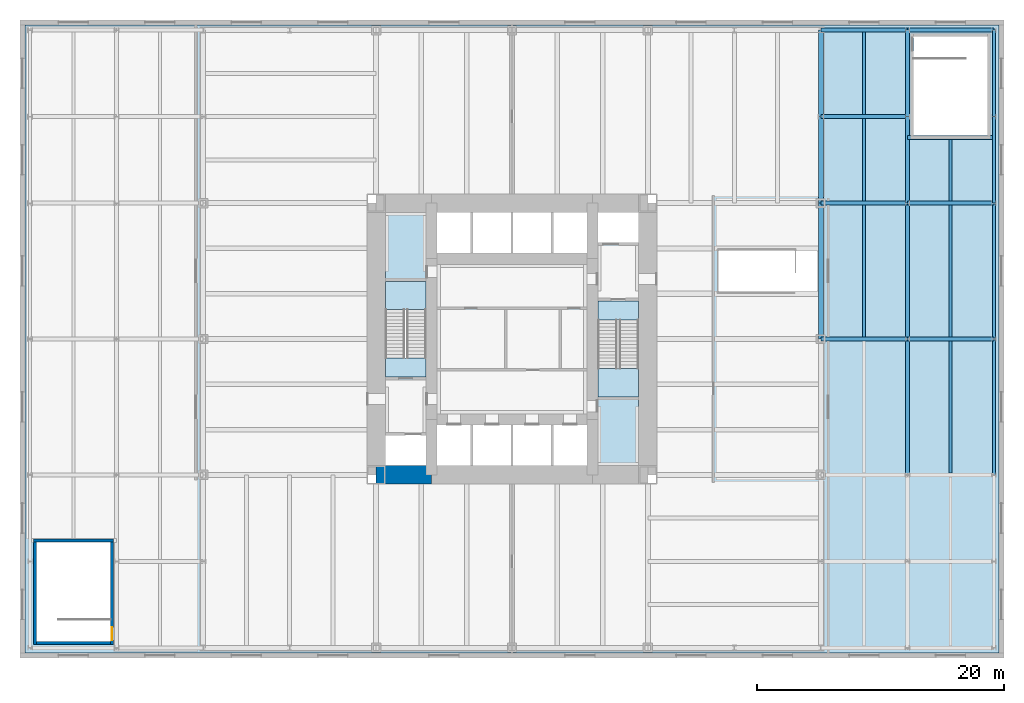
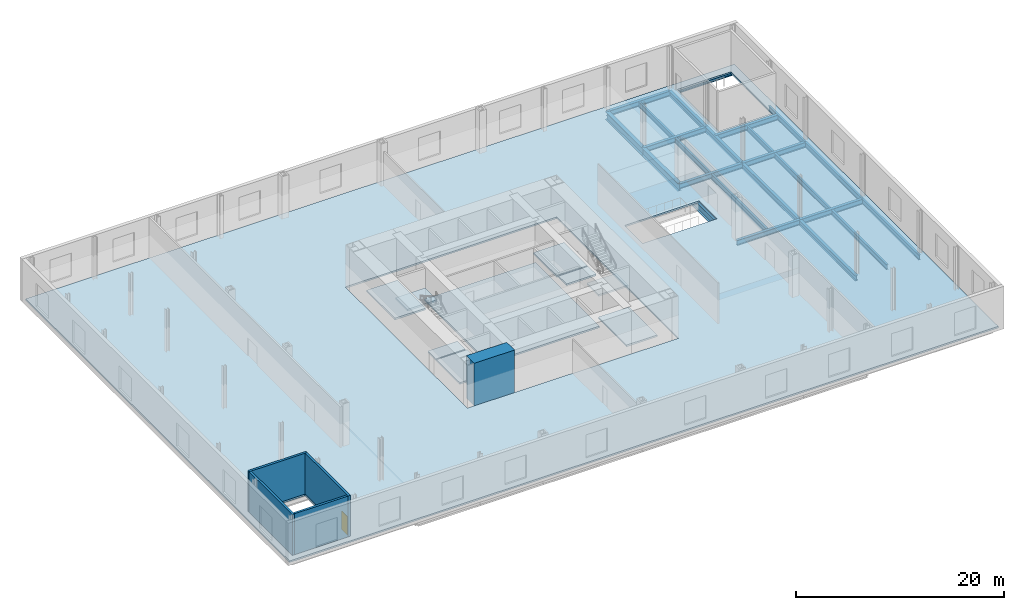
# One storey, part 6 of 12: 25 beams, 10 slabs, 5 walls, 1 door, 1 opening, 2 elements without a shape of their own.
"""IFC4 building model written with IfcOpenShell, lengths in metres."""

from ifc_helpers import new_model, si_unit, direction, frame, frame_2d, origin, origin_2d, place, context, subcontext, project, spatial, polyline, rectangle, i_section, outline, extrude, material, layer, layer_set, material_profile, profile_set, type_object, element, fill, aggregate, save


model = new_model("IFC4")

# Units and contexts
model_context = context("Model", 3, precision=1e-05, world=origin(), true_north=direction((0.0, 1.0)))
body_context = subcontext(model_context, "Body", "Model", "MODEL_VIEW")
ifc_project = project(units=[si_unit("LENGTHUNIT", "METRE"), si_unit("AREAUNIT", "SQUARE_METRE"), si_unit("VOLUMEUNIT", "CUBIC_METRE"), si_unit("PLANEANGLEUNIT", "RADIAN"), si_unit("MASSUNIT", "GRAM", prefix="KILO")], contexts=[model_context])

# Site, building, storey
site_placement = place(None, origin())
site = spatial("IfcSite", under=ifc_project, at=site_placement, CompositionType="ELEMENT")
building_placement = place(site_placement, origin())
building = spatial("IfcBuilding", under=site, at=building_placement, Name="Trevanion Tower", CompositionType="ELEMENT")
storey_placement = place(building_placement, frame((0.0, 0.0, 11.0)))
storey = spatial("IfcBuildingStorey", under=building, at=storey_placement, Name="L02", CompositionType="ELEMENT", Elevation=11.0)

# Beams
ifc_material_1 = material(Name="Steel ASTM A992 Grade 50", Category="steel")
ifc_material_profile_1 = material_profile(ifc_material_1, i_section(OverallWidth=0.419189453125, OverallDepth=0.927001953125, WebThickness=0.019287109375, FlangeThickness=0.031982421875, at=origin_2d()), Name="W36X231")
ifc_profile_set_1 = profile_set([ifc_material_profile_1], Name="Steel ASTM A992 Grade 50")
beam_type_1 = type_object("IfcBeamType", Name="SB1 W36X231", PredefinedType="SPANDREL", material=ifc_profile_set_1)
beam_1_placement = place(storey_placement, frame((25.0, 0.0, -0.653564453125), z_axis=(0.0, 1.0, 0.0), x_axis=(-1.0, 0.0, 0.0)))
element("IfcBeam", 1, at=beam_1_placement, inside=storey, type_object=beam_type_1, Name="SB1 L02", PredefinedType="SPANDREL", context=body_context, shape_type="SweptSolid", body=[
    extrude(i_section(OverallWidth=0.419189453125, OverallDepth=0.927001953125, WebThickness=0.019287109375, FlangeThickness=0.031982421875, at=origin_2d()), origin(), (0.0, 0.0, 1.0), 11.0),
])
for number, where, z_axis, x_axis, name in (
    (2, (25.0, 11.0, -0.653564453125), (0.0, 1.0, 0.0), (-1.0, 0.0, 0.0), "SB1 L02"),
    (3, (25.0, 18.0, -0.653564453125), (0.0, 1.0, 0.0), (-1.0, 0.0, 0.0), "SB1 L02"),
):
    element("IfcBeam", number, at=place(storey_placement, frame(where, z_axis=z_axis, x_axis=x_axis)), inside=storey, type_object=beam_type_1, Name=name, PredefinedType="SPANDREL", context=body_context, shape_type="SweptSolid", body=[
        extrude(i_section(OverallWidth=0.419189453125, OverallDepth=0.927001953125, WebThickness=0.019287109375, FlangeThickness=0.031982421875, at=origin_2d()), origin(), (0.0, 0.0, 1.0), 7.0),
    ])
ifc_material_2 = material(Name="Steel ASTM A992 Grade 50", Category="steel")
ifc_material_profile_2 = material_profile(ifc_material_2, i_section(OverallWidth=0.228271484375, OverallDepth=0.607177734375, WebThickness=0.01123046875, FlangeThickness=0.017333984375, at=origin_2d()), Name="W24X76")
ifc_profile_set_2 = profile_set([ifc_material_profile_2], Name="Steel ASTM A992 Grade 50")
beam_type_2 = type_object("IfcBeamType", Name="WB1 W24X76", PredefinedType="BEAM", material=ifc_profile_set_2)
beam_2_placement = place(storey_placement, frame((28.5, 0.16259765625, -0.493408203125), z_axis=(0.0, 1.0, 0.0), x_axis=(-1.0, 0.0, 0.0)))
element("IfcBeam", 4, at=beam_2_placement, inside=storey, type_object=beam_type_2, Name="WB1 L02", PredefinedType="BEAM", context=body_context, shape_type="SweptSolid", body=[
    extrude(i_section(OverallWidth=0.228271484375, OverallDepth=0.607177734375, WebThickness=0.01123046875, FlangeThickness=0.017333984375, at=origin_2d()), origin(), (0.0, 0.0, 1.0), 10.6748046875),
])
for number, where, z_axis, x_axis, name in (
    (5, (28.5, 11.16259765625, -0.493408203125), (0.0, 1.0, 0.0), (-1.0, 0.0, 0.0), "WB1 L02"),
    (6, (28.5, 18.16259765625, -0.493408203125), (0.0, 1.0, 0.0), (-1.0, 0.0, 0.0), "WB1 L02"),
):
    element("IfcBeam", number, at=place(storey_placement, frame(where, z_axis=z_axis, x_axis=x_axis)), inside=storey, type_object=beam_type_2, Name=name, PredefinedType="BEAM", context=body_context, shape_type="SweptSolid", body=[
        extrude(i_section(OverallWidth=0.228271484375, OverallDepth=0.607177734375, WebThickness=0.01123046875, FlangeThickness=0.017333984375, at=origin_2d()), origin(), (0.0, 0.0, 1.0), 6.6748046875),
    ])
for number, where, z_axis, x_axis, name in (
    (7, (35.5, -10.83740234375, -0.493408203125), (0.0, 1.0, 0.0), (-1.0, 0.0, 0.0), "WB1 L02"),
    (8, (35.5, 0.16259765625, -0.493408203125), (0.0, 1.0, 0.0), (-1.0, 0.0, 0.0), "WB1 L02"),
):
    element("IfcBeam", number, at=place(storey_placement, frame(where, z_axis=z_axis, x_axis=x_axis)), inside=storey, type_object=beam_type_2, Name=name, PredefinedType="BEAM", context=body_context, shape_type="SweptSolid", body=[
        extrude(i_section(OverallWidth=0.228271484375, OverallDepth=0.607177734375, WebThickness=0.01123046875, FlangeThickness=0.017333984375, at=origin_2d()), origin(), (0.0, 0.0, 1.0), 10.6748046875),
    ])
beam_3_placement = place(storey_placement, frame((35.5, 11.16259765625, -0.493408203125), z_axis=(0.0, 1.0, 0.0), x_axis=(-1.0, 0.0, 0.0)))
element("IfcBeam", 9, at=beam_3_placement, inside=storey, type_object=beam_type_2, Name="WB1 L02", PredefinedType="BEAM", context=body_context, shape_type="SweptSolid", body=[
    extrude(i_section(OverallWidth=0.228271484375, OverallDepth=0.607177734375, WebThickness=0.01123046875, FlangeThickness=0.017333984375, at=origin_2d()), origin(), (0.0, 0.0, 1.0), 4.98974609375),
])
ifc_material_3 = material(Name="Steel ASTM A992 Grade 50", Category="steel")
ifc_material_profile_3 = material_profile(ifc_material_3, i_section(OverallWidth=0.227783203125, OverallDepth=0.60205078125, WebThickness=0.010498046875, FlangeThickness=0.014892578125, at=origin_2d()), Name="W24X68")
ifc_profile_set_3 = profile_set([ifc_material_profile_3], Name="Steel ASTM A992 Grade 50")
beam_type_3 = type_object("IfcBeamType", Name="WE1 W24X68", PredefinedType="SPANDREL", material=ifc_profile_set_3)
for number, where, z_axis, x_axis, name in (
    (10, (39.0, -11.0, -0.490966796875), (0.0, 1.0, 0.0), (-1.0, 0.0, 0.0), "WE1 L02"),
    (11, (39.0, 0.0, -0.490966796875), (0.0, 1.0, 0.0), (-1.0, 0.0, 0.0), "WE1 L02"),
):
    element("IfcBeam", number, at=place(storey_placement, frame(where, z_axis=z_axis, x_axis=x_axis)), inside=storey, type_object=beam_type_3, Name=name, PredefinedType="SPANDREL", context=body_context, shape_type="SweptSolid", body=[
        extrude(i_section(OverallWidth=0.227783203125, OverallDepth=0.60205078125, WebThickness=0.010498046875, FlangeThickness=0.014892578125, at=origin_2d()), origin(), (0.0, 0.0, 1.0), 11.0),
    ])
for number, where, z_axis, x_axis, name in (
    (12, (39.0, 11.0, -0.490966796875), (0.0, 1.0, 0.0), (-1.0, 0.0, 0.0), "WE1 L02"),
    (13, (39.0, 18.0, -0.490966796875), (0.0, 1.0, 0.0), (-1.0, 0.0, 0.0), "WE1 L02"),
):
    element("IfcBeam", number, at=place(storey_placement, frame(where, z_axis=z_axis, x_axis=x_axis)), inside=storey, type_object=beam_type_3, Name=name, PredefinedType="SPANDREL", context=body_context, shape_type="SweptSolid", body=[
        extrude(i_section(OverallWidth=0.227783203125, OverallDepth=0.60205078125, WebThickness=0.010498046875, FlangeThickness=0.014892578125, at=origin_2d()), origin(), (0.0, 0.0, 1.0), 7.0),
    ])
ifc_material_4 = material(Name="Steel ASTM A992 Grade 50", Category="steel")
ifc_material_profile_4 = material_profile(ifc_material_4, i_section(OverallWidth=0.3251953125, OverallDepth=0.612060546875, WebThickness=0.0126953125, FlangeThickness=0.01904296875, at=origin_2d()), Name="W24X104")
ifc_profile_set_4 = profile_set([ifc_material_profile_4], Name="Steel ASTM A992 Grade 50")
beam_type_4 = type_object("IfcBeamType", Name="WG1 W24X104", PredefinedType="BEAM", material=ifc_profile_set_4)
for number, where, z_axis, x_axis, name in (
    (14, (25.0, 0.0, -0.49609375), (1.0, 0.0, 0.0), (0.0, 1.0, 0.0), "WG1 L02"),
    (15, (32.0, 0.0, -0.49609375), (1.0, 0.0, 0.0), (0.0, 1.0, 0.0), "WG1 L02"),
    (16, (25.0, 11.0, -0.49609375), (1.0, 0.0, 0.0), (0.0, 1.0, 0.0), "WG1 L02"),
    (17, (32.0, 11.0, -0.49609375), (1.0, 0.0, 0.0), (0.0, 1.0, 0.0), "WG1 L02"),
    (18, (25.0, 18.0, -0.49609375), (1.0, 0.0, 0.0), (0.0, 1.0, 0.0), "WG1 L02"),
    (19, (25.0, 25.0, -0.49609375), (1.0, 0.0, 0.0), (0.0, 1.0, 0.0), "WG1 L02"),
    (20, (32.0, 25.0, -0.49609375), (1.0, 0.0, 0.0), (0.0, 1.0, 0.0), "WG1 L02"),
    (21, (32.0, 16.31494140625, -0.49609375), (1.0, 0.0, 0.0), (0.0, 1.0, 0.0), "WG1 L02"),
):
    element("IfcBeam", number, at=place(storey_placement, frame(where, z_axis=z_axis, x_axis=x_axis)), inside=storey, type_object=beam_type_4, Name=name, PredefinedType="BEAM", context=body_context, shape_type="SweptSolid", body=[
        extrude(i_section(OverallWidth=0.3251953125, OverallDepth=0.612060546875, WebThickness=0.0126953125, FlangeThickness=0.01904296875, at=origin_2d()), origin(), (0.0, 0.0, 1.0), 7.0),
    ])
for number, where, z_axis, x_axis, name in (
    (22, (32.0, -11.0, -0.49609375), (0.0, 1.0, 0.0), (-1.0, 0.0, 0.0), "WG1 L02"),
    (23, (32.0, 0.0, -0.49609375), (0.0, 1.0, 0.0), (-1.0, 0.0, 0.0), "WG1 L02"),
):
    element("IfcBeam", number, at=place(storey_placement, frame(where, z_axis=z_axis, x_axis=x_axis)), inside=storey, type_object=beam_type_4, Name=name, PredefinedType="BEAM", context=body_context, shape_type="SweptSolid", body=[
        extrude(i_section(OverallWidth=0.3251953125, OverallDepth=0.612060546875, WebThickness=0.0126953125, FlangeThickness=0.01904296875, at=origin_2d()), origin(), (0.0, 0.0, 1.0), 11.0),
    ])
for number, where, z_axis, x_axis, name in (
    (24, (32.0, 11.0, -0.49609375), (0.0, 1.0, 0.0), (-1.0, 0.0, 0.0), "WG1 L02"),
    (25, (32.0, 18.0, -0.49609375), (0.0, 1.0, 0.0), (-1.0, 0.0, 0.0), "WG1 L02"),
):
    element("IfcBeam", number, at=place(storey_placement, frame(where, z_axis=z_axis, x_axis=x_axis)), inside=storey, type_object=beam_type_4, Name=name, PredefinedType="BEAM", context=body_context, shape_type="SweptSolid", body=[
        extrude(i_section(OverallWidth=0.3251953125, OverallDepth=0.612060546875, WebThickness=0.0126953125, FlangeThickness=0.01904296875, at=origin_2d()), origin(), (0.0, 0.0, 1.0), 7.0),
    ])

# Slabs
ifc_material_5 = material(Name="Concrete 5,000 psi on composite metal deck", Category="concrete")
ifc_layer_1 = layer(ifc_material_5, 0.18994140625)
ifc_layer_set_1 = layer_set([ifc_layer_1], Name="SL1 composite floor 190")
slab_type_1 = type_object("IfcSlabType", Name="SL1 composite floor 190", PredefinedType="FLOOR", material=ifc_layer_set_1)
slab_1_placement = place(storey_placement, frame((0.0, 0.0, -0.18994140625)))
element("IfcSlab", 26, at=slab_1_placement, inside=storey, type_object=slab_type_1, Name="SL1 L02 floor", PredefinedType="FLOOR", context=body_context, shape_type="SweptSolid", body=[
    extrude(outline(polyline([(39.419921875, -25.419921875), (39.419921875, 25.419921875), (-39.419921875, 25.419921875), (-39.419921875, -25.419921875), (39.419921875, -25.419921875)]), holes=[polyline([(11.75, -11.75), (11.75, 11.75), (-11.75, 11.75), (-11.75, -11.75), (11.75, -11.75)]), polyline([(32.5, 16.43994140625), (38.47509765625, 16.43994140625), (38.47509765625, 24.489990234375), (32.5, 24.489990234375), (32.5, 16.43994140625)]), polyline([(-32.5, -16.43994140625), (-38.47509765625, -16.43994140625), (-38.47509765625, -24.489990234375), (-32.5, -24.489990234375), (-32.5, -16.43994140625)]), polyline([(16.699951171875, 3.77001953125), (25.0, 3.77001953125), (25.0, 7.22998046875), (16.699951171875, 7.22998046875), (16.699951171875, 3.77001953125)])]), origin(), (0.0, 0.0, 1.0), 0.18994140625),
])
ifc_material_6 = material(Name="Concrete 5,000 psi", Category="concrete")
ifc_layer_2 = layer(ifc_material_6, 0.199951171875)
ifc_layer_set_2 = layer_set([ifc_layer_2], Name="SL2 core floor 200")
slab_type_2 = type_object("IfcSlabType", Name="SL2 core floor 200", PredefinedType="FLOOR", material=ifc_layer_set_2)
slab_2_placement = place(storey_placement, frame((0.0, 0.0, -0.199951171875)))
element("IfcSlab", 27, at=slab_2_placement, inside=storey, type_object=slab_type_2, Name="SL2 L02 core floor 1", PredefinedType="FLOOR", context=body_context, shape_type="SweptSolid", body=[
    extrude(outline(polyline([(10.25, -4.804931640625), (10.25, -10.25), (6.830078125, -10.25), (6.830078125, -4.804931640625), (10.25, -4.804931640625)])), origin(), (0.0, 0.0, 1.0), 0.199951171875),
])
slab_3_placement = place(storey_placement, frame((0.0, 0.0, -0.199951171875)))
element("IfcSlab", 28, at=slab_3_placement, inside=storey, type_object=slab_type_2, Name="SL2 L02 core floor 2", PredefinedType="FLOOR", context=body_context, shape_type="SweptSolid", body=[
    extrude(outline(polyline([(-6.830078125, -3.205078125), (-6.830078125, -7.695068359375), (-10.25, -7.695068359375), (-10.25, -3.205078125), (-6.830078125, -3.205078125)])), origin(), (0.0, 0.0, 1.0), 0.199951171875),
])
slab_4_placement = place(storey_placement, frame((0.0, 0.0, -0.199951171875)))
element("IfcSlab", 29, at=slab_4_placement, inside=storey, type_object=slab_type_2, Name="SL2 L02 core floor 3", PredefinedType="FLOOR", context=body_context, shape_type="SweptSolid", body=[
    extrude(outline(polyline([(6.169921875, -6.169921875), (-6.169921875, -6.169921875), (-6.169921875, 6.169921875), (6.169921875, 6.169921875), (6.169921875, -6.169921875)])), origin(), (0.0, 0.0, 1.0), 0.199951171875),
])
slab_5_placement = place(storey_placement, frame((0.0, 0.0, -0.199951171875)))
element("IfcSlab", 30, at=slab_5_placement, inside=storey, type_object=slab_type_2, Name="SL2 L02 core floor 4", PredefinedType="FLOOR", context=body_context, shape_type="SweptSolid", body=[
    extrude(outline(polyline([(6.830078125, 3.205078125), (6.830078125, 7.695068359375), (10.25, 7.695068359375), (10.25, 3.205078125), (6.830078125, 3.205078125)])), origin(), (0.0, 0.0, 1.0), 0.199951171875),
])
slab_6_placement = place(storey_placement, frame((0.0, 0.0, -0.199951171875)))
element("IfcSlab", 31, at=slab_6_placement, inside=storey, type_object=slab_type_2, Name="SL2 L02 core floor 5", PredefinedType="FLOOR", context=body_context, shape_type="SweptSolid", body=[
    extrude(outline(polyline([(-6.830078125, 4.804931640625), (-10.25, 4.804931640625), (-10.25, 10.25), (-6.830078125, 10.25), (-6.830078125, 4.804931640625)])), origin(), (0.0, 0.0, 1.0), 0.199951171875),
])

# Stair, slabs
ifc_material_7 = material(Name="Concrete 5,000 psi on steel stringers", Category="concrete")
stair_type = type_object("IfcStairType", Name="ST stair", PredefinedType="HALF_TURN_STAIR", material=ifc_material_7)
stair_1_placement = place(storey_placement, origin())
stair_1 = element("IfcStair", 32, at=stair_1_placement, inside=storey, type_object=stair_type, Name="ST1 L02", PredefinedType="HALF_TURN_STAIR")
ifc_material_8 = material(Name="Concrete 5,000 psi in steel pan", Category="concrete")
ifc_layer_3 = layer(ifc_material_8, 0.199951171875)
ifc_layer_set_3 = layer_set([ifc_layer_3], Name="STL stair landing 200")
slab_type_3 = type_object("IfcSlabType", Name="STL stair landing 200", PredefinedType="LANDING", material=ifc_layer_set_3)
slab_7_placement = place(storey_placement, frame((0.0, 0.0, -0.199951171875)))
slab_7 = element("IfcSlab", 33, at=slab_7_placement, type_object=slab_type_3, Name="ST1 landing 1", PredefinedType="LANDING", context=body_context, shape_type="SweptSolid", body=[
    extrude(outline(polyline([(6.949951171875, 1.52490234375), (10.25, 1.52490234375), (10.25, 3.074951171875), (6.949951171875, 3.074951171875), (6.949951171875, 1.52490234375)])), origin(), (0.0, 0.0, 1.0), 0.199951171875),
])
slab_8_placement = place(storey_placement, frame((0.0, 0.0, 2.300048828125)))
slab_8 = element("IfcSlab", 34, at=slab_8_placement, type_object=slab_type_3, Name="ST1 landing 2", PredefinedType="LANDING", context=body_context, shape_type="SweptSolid", body=[
    extrude(outline(polyline([(6.949951171875, -4.675048828125), (10.25, -4.675048828125), (10.25, -2.39501953125), (6.949951171875, -2.39501953125), (6.949951171875, -4.675048828125)])), origin(), (0.0, 0.0, 1.0), 0.199951171875),
])
aggregate(stair_1, [slab_7, slab_8])

stair_2_placement = place(storey_placement, origin())
stair_2 = element("IfcStair", 35, at=stair_2_placement, inside=storey, type_object=stair_type, Name="ST2 L02", PredefinedType="HALF_TURN_STAIR")
slab_9_placement = place(storey_placement, frame((0.0, 0.0, -0.199951171875)))
slab_9 = element("IfcSlab", 36, at=slab_9_placement, type_object=slab_type_3, Name="ST2 landing 1", PredefinedType="LANDING", context=body_context, shape_type="SweptSolid", body=[
    extrude(outline(polyline([(-6.949951171875, -1.52490234375), (-10.25, -1.52490234375), (-10.25, -3.074951171875), (-6.949951171875, -3.074951171875), (-6.949951171875, -1.52490234375)])), origin(), (0.0, 0.0, 1.0), 0.199951171875),
])
slab_10_placement = place(storey_placement, frame((0.0, 0.0, 2.300048828125)))
slab_10 = element("IfcSlab", 37, at=slab_10_placement, type_object=slab_type_3, Name="ST2 landing 2", PredefinedType="LANDING", context=body_context, shape_type="SweptSolid", body=[
    extrude(outline(polyline([(-6.949951171875, 4.675048828125), (-10.25, 4.675048828125), (-10.25, 2.39501953125), (-6.949951171875, 2.39501953125), (-6.949951171875, 4.675048828125)])), origin(), (0.0, 0.0, 1.0), 0.199951171875),
])
aggregate(stair_2, [slab_9, slab_10])

# Wall
ifc_material_9 = material(Name="Concrete 10,000 psi", Category="concrete")
ifc_layer_4 = layer(ifc_material_9, 1.5)
ifc_layer_set_4 = layer_set([ifc_layer_4], Name="CW1 core wall 1500")
wall_type_1 = type_object("IfcWallType", Name="CW1 core wall 1500", PredefinedType="SHEAR", material=ifc_layer_set_4)
wall_1_placement = place(storey_placement, frame((-11.0, -11.0, 0.0), z_axis=(0.0, 0.0, 1.0), x_axis=(1.0, 0.0, 0.0)))
element("IfcWall", 38, at=wall_1_placement, inside=storey, type_object=wall_type_1, Name="CW1 CS1 L02", PredefinedType="SHEAR", context=body_context, shape_type="SweptSolid", body=[
    extrude(rectangle(XDim=4.5, YDim=1.5, at=frame_2d((2.25, 0.0))), origin(), (0.0, 0.0, 1.0), 5.0),
])

# Wall, opening, door
ifc_material_10 = material(Name="Reinforced masonry, fully grouted", Category="masonry")
ifc_layer_5 = layer(ifc_material_10, 0.25)
ifc_layer_set_5 = layer_set([ifc_layer_5], Name="SW1 stair shaft wall 250")
wall_type_2 = type_object("IfcWallType", Name="SW1 stair shaft wall 250", PredefinedType="SOLIDWALL", material=ifc_layer_set_5)
wall_2_placement = place(storey_placement, frame((-32.375, -16.31494140625, 0.0), z_axis=(0.0, 0.0, 1.0), x_axis=(0.0, -1.0, 0.0)))
wall_2 = element("IfcWall", 39, at=wall_2_placement, inside=storey, type_object=wall_type_2, Name="SW1 L02 S4A", PredefinedType="SOLIDWALL", context=body_context, shape_type="SweptSolid", body=[
    extrude(rectangle(XDim=8.425048828125, YDim=0.25, at=frame_2d((4.21240234375, 0.0))), origin(), (0.0, 0.0, 1.0), 4.81005859375),
])
opening_placement = place(wall_2_placement, frame((7.00146484375, 0.0, 0.0)))
opening = element("IfcOpeningElement", 40, at=opening_placement, cuts=wall_2, Name="Opening 02-019", PredefinedType="OPENING", context=body_context, shape_type="SweptSolid", body=[
    extrude(rectangle(XDim=1.06689453125, YDim=2.134033203125, at=frame_2d((0.533447265625, 1.06689453125))), frame((0.0, 0.135009765625, 0.0), z_axis=(0.0, -1.0, 0.0), x_axis=(1.0, 0.0, 0.0)), (0.0, 0.0, 1.0), 0.27001953125),
])
ifc_material_11 = material(Name="Hollow metal, fire rated", Category="steel")
door_type = type_object("IfcDoorType", Name="D2 exit stair door", OperationType="SINGLE_SWING_LEFT", PredefinedType="DOOR", material=ifc_material_11)
door_placement = place(opening_placement, origin())
door = element("IfcDoor", 41, at=door_placement, inside=storey, type_object=door_type, Name="Door 02-019", OperationType="SINGLE_SWING_LEFT", OverallHeight=2.134033203125, OverallWidth=1.06689453125, PredefinedType="DOOR", context=body_context, shape_type="SweptSolid", body=[
    extrude(rectangle(XDim=1.06689453125, YDim=2.134033203125, at=frame_2d((0.533447265625, 1.06689453125))), frame((0.0, 0.02490234375, 0.0), z_axis=(0.0, -1.0, 0.0), x_axis=(1.0, 0.0, 0.0)), (0.0, 0.0, 1.0), 0.050048828125),
])
fill(opening, door)

# Walls
wall_3_placement = place(storey_placement, frame((-32.25, -16.31494140625, 0.0), z_axis=(0.0, 0.0, 1.0), x_axis=(-1.0, 0.0, 0.0)))
element("IfcWall", 42, at=wall_3_placement, inside=storey, type_object=wall_type_2, Name="SW1 L02 S4B", PredefinedType="SOLIDWALL", context=body_context, shape_type="SweptSolid", body=[
    extrude(rectangle(XDim=6.47509765625, YDim=0.25, at=frame_2d((3.237548828125, 0.0))), origin(), (0.0, 0.0, 1.0), 4.81005859375),
])
wall_4_placement = place(storey_placement, frame((-38.60009765625, -16.43994140625, 0.0), z_axis=(0.0, 0.0, 1.0), x_axis=(0.0, -1.0, 0.0)))
element("IfcWall", 43, at=wall_4_placement, inside=storey, type_object=wall_type_2, Name="SW1 L02 S4C", PredefinedType="SOLIDWALL", context=body_context, shape_type="SweptSolid", body=[
    extrude(rectangle(XDim=8.300048828125, YDim=0.25, at=frame_2d((4.14990234375, 0.0))), origin(), (0.0, 0.0, 1.0), 4.81005859375),
])
wall_5_placement = place(storey_placement, frame((-32.5, -24.614990234375, 0.0), z_axis=(0.0, 0.0, 1.0), x_axis=(-1.0, 0.0, 0.0)))
element("IfcWall", 44, at=wall_5_placement, inside=storey, type_object=wall_type_2, Name="SW1 L02 S4D", PredefinedType="SOLIDWALL", context=body_context, shape_type="SweptSolid", body=[
    extrude(rectangle(XDim=5.97509765625, YDim=0.25, at=frame_2d((2.987548828125, 0.0))), origin(), (0.0, 0.0, 1.0), 4.81005859375),
])

save(model, "model.ifc")
